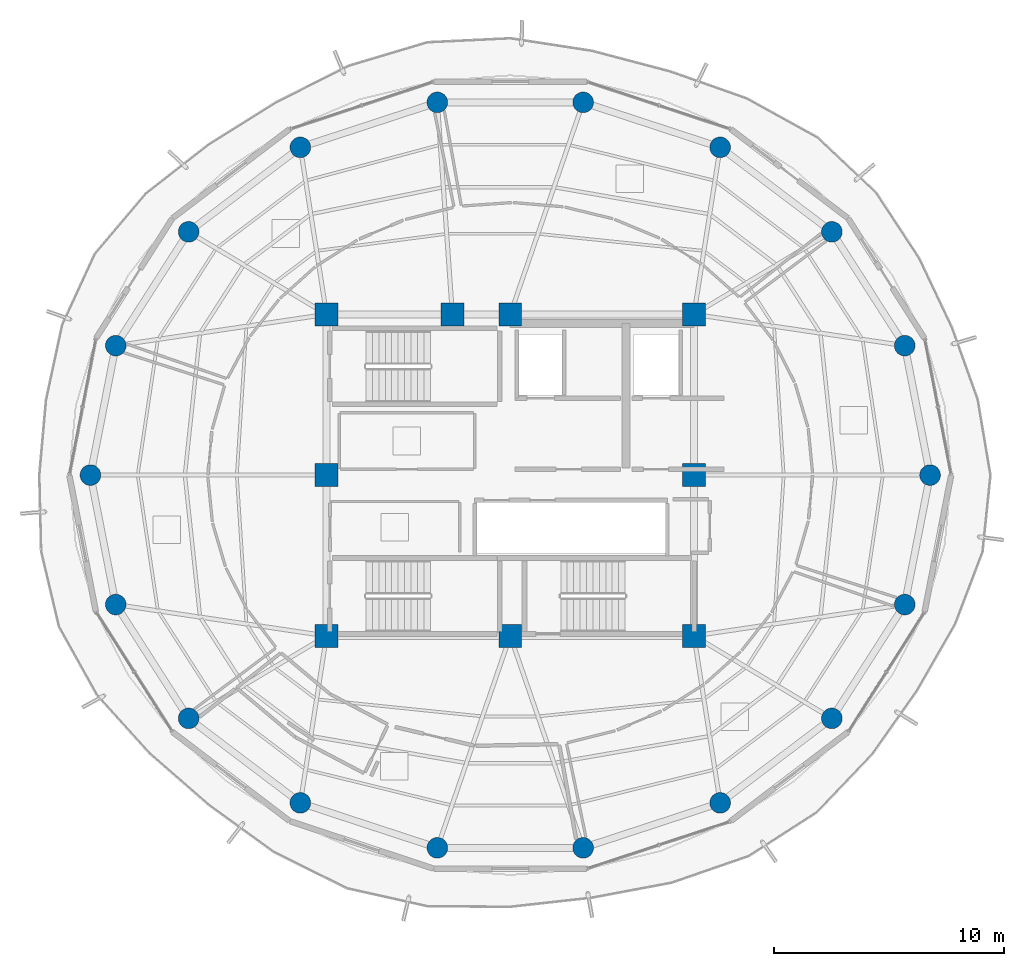
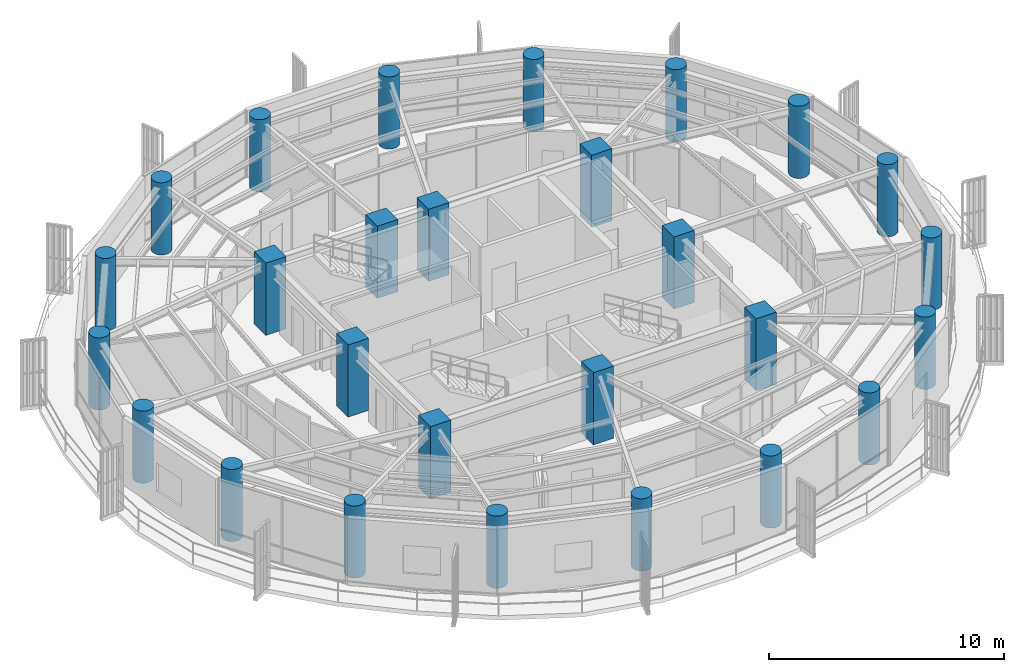
# One storey, part 1 of 23: 27 columns.
"""IFC4 building model written with IfcOpenShell, lengths in metres."""

from ifc_helpers import new_model, si_unit, direction, frame, origin, origin_2d, place, context, subcontext, project, spatial, rectangle, circle, extrude, material, material_profile, profile_set, type_object, element, save


model = new_model("IFC4")

# Units and contexts
model_context = context("Model", 3, precision=1e-05, world=origin(), true_north=direction((0.0, 1.0)))
body_context = subcontext(model_context, "Body", "Model", "MODEL_VIEW")
ifc_project = project(units=[si_unit("LENGTHUNIT", "METRE"), si_unit("AREAUNIT", "SQUARE_METRE"), si_unit("VOLUMEUNIT", "CUBIC_METRE"), si_unit("PLANEANGLEUNIT", "RADIAN"), si_unit("MASSUNIT", "GRAM", prefix="KILO")], contexts=[model_context])

# Site, building, storey
site_placement = place(None, origin())
site = spatial("IfcSite", under=ifc_project, at=site_placement, CompositionType="ELEMENT")
building_placement = place(site_placement, origin())
building = spatial("IfcBuilding", under=site, at=building_placement, Name="Kelanora Arch Commons", CompositionType="ELEMENT")
storey_placement = place(building_placement, frame((0.0, 0.0, 286.199951171875)))
storey = spatial("IfcBuildingStorey", under=building, at=storey_placement, Name="L73", CompositionType="ELEMENT", Elevation=286.199951171875)

# Columns
ifc_material = material(Name="Concrete C50/60", Category="concrete")
ifc_material_profile_1 = material_profile(ifc_material, circle(Radius=0.449951171875, at=origin_2d()), Name="RCC900")
ifc_profile_set_1 = profile_set([ifc_material_profile_1], Name="Concrete C50/60")
column_type_1 = type_object("IfcColumnType", Name="COL-PERIM-Z5", PredefinedType="COLUMN", material=ifc_profile_set_1)
for number, where, z_axis, x_axis, name in (
    (1, (92.280029296875, 58.0, 0.0), (0.0, 0.0, 1.0), (1.0, 0.0, 0.0), "Perimeter Ring Column CP-00 L73"),
    (2, (91.177490234375, 63.636474609375, 0.0), (0.0, 0.0, 1.0), (1.0, 0.0, 0.0), "Perimeter Ring Column CP-02 L73"),
    (3, (88.00341796875, 68.593017578125, 0.0), (0.0, 0.0, 1.0), (1.0, 0.0, 0.0), "Perimeter Ring Column CP-04 L73"),
    (4, (83.139892578125, 72.272216796875, 0.0), (0.0, 0.0, 1.0), (1.0, 0.0, 0.0), "Perimeter Ring Column CP-06 L73"),
    (5, (77.17431640625, 74.2294921875, 0.0), (0.0, 0.0, 1.0), (1.0, 0.0, 0.0), "Perimeter Ring Column CP-08 L73"),
    (6, (70.82568359375, 74.2294921875, 0.0), (0.0, 0.0, 1.0), (1.0, 0.0, 0.0), "Perimeter Ring Column CP-10 L73"),
    (7, (64.860107421875, 72.272216796875, 0.0), (0.0, 0.0, 1.0), (1.0, 0.0, 0.0), "Perimeter Ring Column CP-12 L73"),
    (8, (59.99658203125, 68.593017578125, 0.0), (0.0, 0.0, 1.0), (1.0, 0.0, 0.0), "Perimeter Ring Column CP-14 L73"),
    (9, (56.822509765625, 63.636474609375, 0.0), (0.0, 0.0, 1.0), (1.0, 0.0, 0.0), "Perimeter Ring Column CP-16 L73"),
    (10, (55.719970703125, 58.0, 0.0), (0.0, 0.0, 1.0), (1.0, 0.0, 0.0), "Perimeter Ring Column CP-18 L73"),
    (11, (56.822509765625, 52.363525390625, 0.0), (0.0, 0.0, 1.0), (1.0, 0.0, 0.0), "Perimeter Ring Column CP-20 L73"),
    (12, (59.99658203125, 47.406982421875, 0.0), (0.0, 0.0, 1.0), (1.0, 0.0, 0.0), "Perimeter Ring Column CP-22 L73"),
    (13, (64.860107421875, 43.727783203125, 0.0), (0.0, 0.0, 1.0), (1.0, 0.0, 0.0), "Perimeter Ring Column CP-24 L73"),
    (14, (70.82568359375, 41.7705078125, 0.0), (0.0, 0.0, 1.0), (1.0, 0.0, 0.0), "Perimeter Ring Column CP-26 L73"),
    (15, (77.17431640625, 41.7705078125, 0.0), (0.0, 0.0, 1.0), (1.0, 0.0, 0.0), "Perimeter Ring Column CP-28 L73"),
    (16, (83.139892578125, 43.727783203125, 0.0), (0.0, 0.0, 1.0), (1.0, 0.0, 0.0), "Perimeter Ring Column CP-30 L73"),
    (17, (88.00341796875, 47.406982421875, 0.0), (0.0, 0.0, 1.0), (1.0, 0.0, 0.0), "Perimeter Ring Column CP-32 L73"),
    (18, (91.177490234375, 52.363525390625, 0.0), (0.0, 0.0, 1.0), (1.0, 0.0, 0.0), "Perimeter Ring Column CP-34 L73"),
):
    element("IfcColumn", number, at=place(storey_placement, frame(where, z_axis=z_axis, x_axis=x_axis)), inside=storey, type_object=column_type_1, Name=name, PredefinedType="COLUMN", context=body_context, shape_type="SweptSolid", body=[
        extrude(circle(Radius=0.449951171875, at=origin_2d()), origin(), (0.0, 0.0, 1.0), 3.75),
    ])
ifc_material_profile_2 = material_profile(ifc_material, rectangle(XDim=1.0, YDim=1.0, at=origin_2d()), Name="RC1000x1000")
ifc_profile_set_2 = profile_set([ifc_material_profile_2], Name="Concrete C50/60")
column_type_2 = type_object("IfcColumnType", Name="COL-PIL-HIGH", PredefinedType="PILASTER", material=ifc_profile_set_2)
for number, where, z_axis, x_axis, name in (
    (19, (66.0, 51.0, 0.0), (0.0, 0.0, 1.0), (1.0, 0.0, 0.0), "Core Pilaster Column CP1 L73"),
    (20, (74.0, 51.0, 0.0), (0.0, 0.0, 1.0), (1.0, 0.0, 0.0), "Core Pilaster Column CP2 L73"),
    (21, (82.0, 51.0, 0.0), (0.0, 0.0, 1.0), (1.0, 0.0, 0.0), "Core Pilaster Column CP3 L73"),
    (22, (82.0, 58.0, 0.0), (0.0, 0.0, 1.0), (1.0, 0.0, 0.0), "Core Pilaster Column CP4 L73"),
    (23, (82.0, 65.0, 0.0), (0.0, 0.0, 1.0), (1.0, 0.0, 0.0), "Core Pilaster Column CP5 L73"),
    (24, (74.0, 65.0, 0.0), (0.0, 0.0, 1.0), (1.0, 0.0, 0.0), "Core Pilaster Column CP6 L73"),
    (25, (71.47998046875, 65.0, 0.0), (0.0, 0.0, 1.0), (1.0, 0.0, 0.0), "Core Pilaster Column CP9 L73"),
    (26, (66.0, 65.0, 0.0), (0.0, 0.0, 1.0), (1.0, 0.0, 0.0), "Core Pilaster Column CP7 L73"),
    (27, (66.0, 58.0, 0.0), (0.0, 0.0, 1.0), (1.0, 0.0, 0.0), "Core Pilaster Column CP8 L73"),
):
    element("IfcColumn", number, at=place(storey_placement, frame(where, z_axis=z_axis, x_axis=x_axis)), inside=storey, type_object=column_type_2, Name=name, PredefinedType="PILASTER", context=body_context, shape_type="SweptSolid", body=[
        extrude(rectangle(XDim=1.0, YDim=1.0, at=origin_2d()), origin(), (0.0, 0.0, 1.0), 3.75),
    ])

save(model, "model.ifc")
